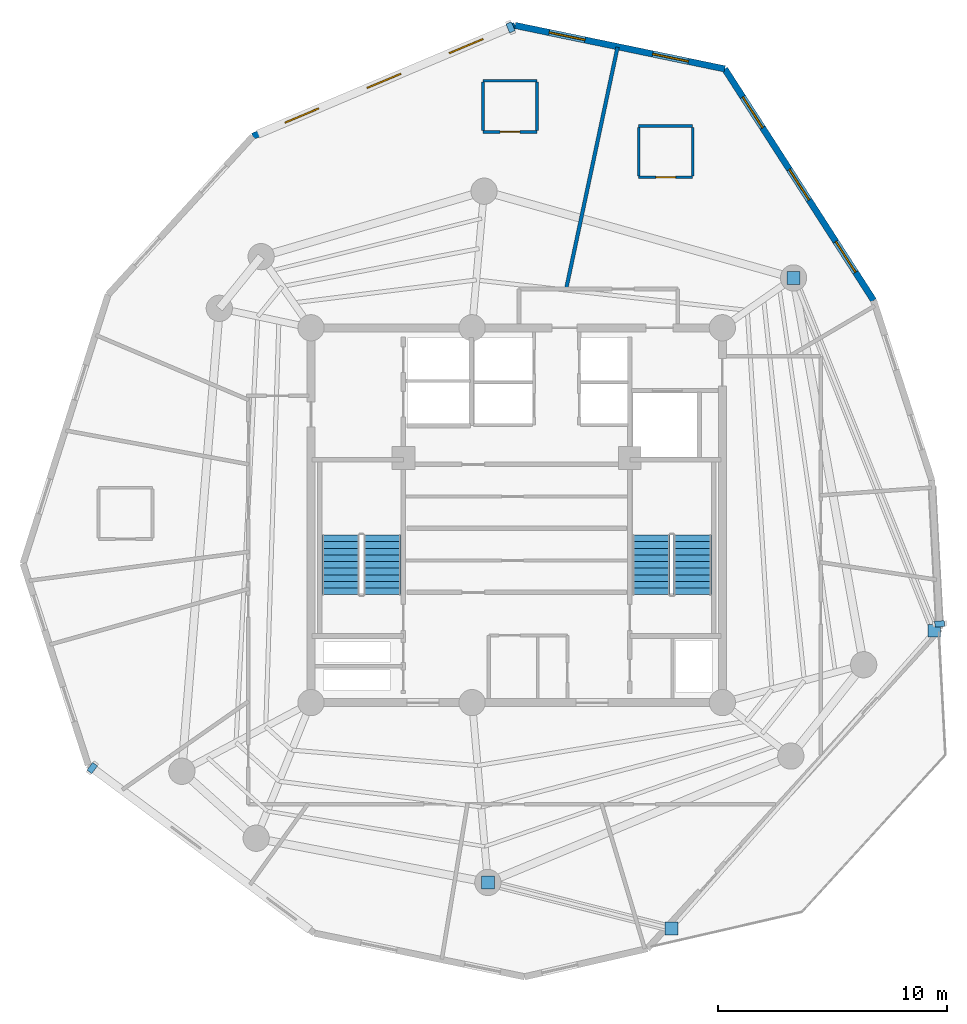
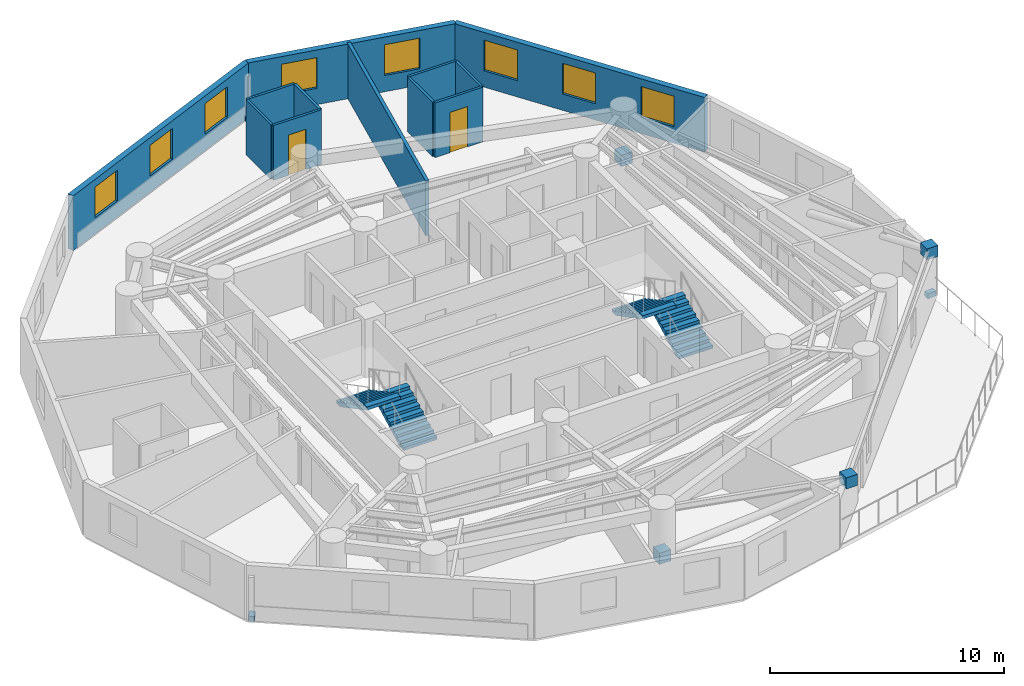
# One storey, part 6 of 9: 12 walls, 8 windows, 7 discrete accessories, 4 stair flights, 2 doors, 10 openings, 2 elements without a shape of their own.
"""IFC4 building model written with IfcOpenShell, lengths in metres."""

from ifc_helpers import new_model, si_unit, direction, frame, frame_2d, origin, origin_with_axes, origin_2d, place, context, subcontext, project, spatial, polyline, rectangle, outline, extrude, source, transform, mapped, material, layer, layer_set, type_object, element, fill, aggregate, save


model = new_model("IFC4")

# Units and contexts
model_context = context("Model", 3, precision=1e-05, world=origin(), true_north=direction((0.0, 1.0)))
body_context = subcontext(model_context, "Body", "Model", "MODEL_VIEW")
ifc_project = project(units=[si_unit("LENGTHUNIT", "METRE"), si_unit("AREAUNIT", "SQUARE_METRE"), si_unit("VOLUMEUNIT", "CUBIC_METRE"), si_unit("PLANEANGLEUNIT", "RADIAN"), si_unit("MASSUNIT", "GRAM", prefix="KILO")], contexts=[model_context])

# Site, building, storey
site_placement = place(None, origin())
site = spatial("IfcSite", under=ifc_project, at=site_placement, CompositionType="ELEMENT")
building_placement = place(site_placement, origin())
building = spatial("IfcBuilding", under=site, at=building_placement, Name="Karkom Vertical University and Central Library", CompositionType="ELEMENT")
storey_placement = place(building_placement, frame((0.0, 0.0, 232.14990234375)))
storey = spatial("IfcBuildingStorey", under=building, at=storey_placement, Name="L68", CompositionType="ELEMENT", Elevation=232.14990234375)

# Wall, openings, windows
ifc_material_1 = material(Name="Brick-faced precast concrete C45/55", Category="masonry")
ifc_layer_1 = layer(ifc_material_1, 0.280029296875)
ifc_layer_set_1 = layer_set([ifc_layer_1], Name="Brick-faced precast concrete C45/55")
wall_type_1 = type_object("IfcWallType", Name="ENV-WL-BRK-280", PredefinedType="SOLIDWALL", material=ifc_layer_set_1)
wall_1_placement = place(storey_placement, frame((44.118408203125, 35.897216796875, 0.0), z_axis=(0.0, 0.0, 1.0), x_axis=(-0.540866189817, 0.841108652145, 0.0)))
wall_1 = element("IfcWall", 1, at=wall_1_placement, inside=storey, type_object=wall_type_1, Name="Level 68 Brick-Faced Precast Facade Wall 07", PredefinedType="SOLIDWALL", context=body_context, shape_type="SweptSolid", body=[
    extrude(rectangle(XDim=12.04345703125, YDim=0.280029296875, at=frame_2d((6.021728515625, 0.0))), origin(), (0.0, 0.0, 1.0), 2.85009765625),
])
opening_1_placement = place(wall_1_placement, frame((1.460693359375, 0.0, 0.85009765625)))
opening_1 = element("IfcOpeningElement", 2, at=opening_1_placement, cuts=wall_1, Name="Opening WN-10", PredefinedType="OPENING", context=body_context, shape_type="SweptSolid", body=[
    extrude(rectangle(XDim=1.60009765625, YDim=1.60009765625, at=frame_2d((0.800048828125, 0.800048828125))), frame((0.0, 0.14990234375, 0.0), z_axis=(0.0, -1.0, 0.0), x_axis=(1.0, 0.0, 0.0)), (0.0, 0.0, 1.0), 0.300048828125),
])
opening_2_placement = place(wall_1_placement, frame((5.221923828125, 0.0, 0.85009765625)))
opening_2 = element("IfcOpeningElement", 3, at=opening_2_placement, cuts=wall_1, Name="Opening WN-10", PredefinedType="OPENING", context=body_context, shape_type="SweptSolid", body=[
    extrude(rectangle(XDim=1.60009765625, YDim=1.60009765625, at=frame_2d((0.800048828125, 0.800048828125))), frame((0.0, 0.14990234375, 0.0), z_axis=(0.0, -1.0, 0.0), x_axis=(1.0, 0.0, 0.0)), (0.0, 0.0, 1.0), 0.300048828125),
])
opening_3_placement = place(wall_1_placement, frame((8.983154296875, 0.0, 0.85009765625)))
opening_3 = element("IfcOpeningElement", 4, at=opening_3_placement, cuts=wall_1, Name="Opening WN-10", PredefinedType="OPENING", context=body_context, shape_type="SweptSolid", body=[
    extrude(rectangle(XDim=1.60009765625, YDim=1.60009765625, at=frame_2d((0.800048828125, 0.800048828125))), frame((0.0, 0.14990234375, 0.0), z_axis=(0.0, -1.0, 0.0), x_axis=(1.0, 0.0, 0.0)), (0.0, 0.0, 1.0), 0.300048828125),
])
ifc_material_2 = material(Name="Aluminium thermal-break frame with solar-control IGU", Category="aluminium")
window_type = type_object("IfcWindowType", Name="ENV-WIN-WN-10", PartitioningType="SINGLE_PANEL", PredefinedType="WINDOW", material=ifc_material_2)
shared_shape_1 = source(origin_with_axes(), body_context, "Body", "SweptSolid", [
    extrude(rectangle(XDim=1.60009765625, YDim=1.60009765625, at=frame_2d((0.800048828125, 0.800048828125))), frame((0.0, 0.030029296875, 0.0), z_axis=(0.0, -1.0, 0.0), x_axis=(1.0, 0.0, 0.0)), (0.0, 0.0, 1.0), 0.06005859375),
])
window_1_placement = place(opening_1_placement, origin())
window_1 = element("IfcWindow", 5, at=window_1_placement, inside=storey, type_object=window_type, Name="Level 68 Punched Window 7.1", OverallHeight=1.60009765625, OverallWidth=1.60009765625, PartitioningType="SINGLE_PANEL", PredefinedType="WINDOW", context=body_context, shape_type="MappedRepresentation", body=[
    mapped(shared_shape_1, transform((0.0, 0.0, 0.0), scale=1.0)),
])
fill(opening_1, window_1)
window_2_placement = place(opening_2_placement, origin())
window_2 = element("IfcWindow", 6, at=window_2_placement, inside=storey, type_object=window_type, Name="Level 68 Punched Window 7.2", OverallHeight=1.60009765625, OverallWidth=1.60009765625, PartitioningType="SINGLE_PANEL", PredefinedType="WINDOW", context=body_context, shape_type="MappedRepresentation", body=[
    mapped(shared_shape_1, transform((0.0, 0.0, 0.0), scale=1.0)),
])
fill(opening_2, window_2)
window_3_placement = place(opening_3_placement, origin())
window_3 = element("IfcWindow", 7, at=window_3_placement, inside=storey, type_object=window_type, Name="Level 68 Punched Window 7.3", OverallHeight=1.60009765625, OverallWidth=1.60009765625, PartitioningType="SINGLE_PANEL", PredefinedType="WINDOW", context=body_context, shape_type="MappedRepresentation", body=[
    mapped(shared_shape_1, transform((0.0, 0.0, 0.0), scale=1.0)),
])
fill(opening_3, window_3)

wall_2_placement = place(storey_placement, frame((37.6044921875, 46.027099609375, 0.0), z_axis=(0.0, 0.0, 1.0), x_axis=(-0.979153110394, 0.203123574224, 0.0)))
wall_2 = element("IfcWall", 8, at=wall_2_placement, inside=storey, type_object=wall_type_1, Name="Level 68 Brick-Faced Precast Facade Wall 08", PredefinedType="SOLIDWALL", context=body_context, shape_type="SweptSolid", body=[
    extrude(rectangle(XDim=9.36669921875, YDim=0.280029296875, at=frame_2d((4.683349609375, 0.0))), origin(), (0.0, 0.0, 1.0), 2.85009765625),
])
opening_4_placement = place(wall_2_placement, frame((1.623046875, 0.0, 0.85009765625)))
opening_4 = element("IfcOpeningElement", 9, at=opening_4_placement, cuts=wall_2, Name="Opening WN-10", PredefinedType="OPENING", context=body_context, shape_type="SweptSolid", body=[
    extrude(rectangle(XDim=1.60009765625, YDim=1.60009765625, at=frame_2d((0.800048828125, 0.800048828125))), frame((0.0, 0.14990234375, 0.0), z_axis=(0.0, -1.0, 0.0), x_axis=(1.0, 0.0, 0.0)), (0.0, 0.0, 1.0), 0.300048828125),
])
opening_5_placement = place(wall_2_placement, frame((6.24609375, 0.0, 0.85009765625)))
opening_5 = element("IfcOpeningElement", 10, at=opening_5_placement, cuts=wall_2, Name="Opening WN-10", PredefinedType="OPENING", context=body_context, shape_type="SweptSolid", body=[
    extrude(rectangle(XDim=1.60009765625, YDim=1.60009765625, at=frame_2d((0.800048828125, 0.800048828125))), frame((0.0, 0.14990234375, 0.0), z_axis=(0.0, -1.0, 0.0), x_axis=(1.0, 0.0, 0.0)), (0.0, 0.0, 1.0), 0.300048828125),
])
window_4_placement = place(opening_4_placement, origin())
window_4 = element("IfcWindow", 11, at=window_4_placement, inside=storey, type_object=window_type, Name="Level 68 Punched Window 8.1", OverallHeight=1.60009765625, OverallWidth=1.60009765625, PartitioningType="SINGLE_PANEL", PredefinedType="WINDOW", context=body_context, shape_type="MappedRepresentation", body=[
    mapped(shared_shape_1, transform((0.0, 0.0, 0.0), scale=1.0)),
])
fill(opening_4, window_4)
window_5_placement = place(opening_5_placement, origin())
window_5 = element("IfcWindow", 12, at=window_5_placement, inside=storey, type_object=window_type, Name="Level 68 Punched Window 8.2", OverallHeight=1.60009765625, OverallWidth=1.60009765625, PartitioningType="SINGLE_PANEL", PredefinedType="WINDOW", context=body_context, shape_type="MappedRepresentation", body=[
    mapped(shared_shape_1, transform((0.0, 0.0, 0.0), scale=1.0)),
])
fill(opening_5, window_5)

wall_3_placement = place(storey_placement, frame((28.43310546875, 47.9296875, 0.0), z_axis=(0.0, 0.0, 1.0), x_axis=(-0.921125636365, -0.389265413351, 0.0)))
wall_3 = element("IfcWall", 13, at=wall_3_placement, inside=storey, type_object=wall_type_1, Name="Level 68 Brick-Faced Precast Facade Wall 09", PredefinedType="SOLIDWALL", context=body_context, shape_type="SweptSolid", body=[
    extrude(rectangle(XDim=12.4609375, YDim=0.280029296875, at=frame_2d((6.23046875, 0.0))), origin(), (0.0, 0.0, 1.0), 2.85009765625),
])
opening_6_placement = place(wall_3_placement, frame((1.5302734375, 0.0, 0.85009765625)))
opening_6 = element("IfcOpeningElement", 14, at=opening_6_placement, cuts=wall_3, Name="Opening WN-10", PredefinedType="OPENING", context=body_context, shape_type="SweptSolid", body=[
    extrude(rectangle(XDim=1.60009765625, YDim=1.60009765625, at=frame_2d((0.800048828125, 0.800048828125))), frame((0.0, 0.14990234375, 0.0), z_axis=(0.0, -1.0, 0.0), x_axis=(1.0, 0.0, 0.0)), (0.0, 0.0, 1.0), 0.300048828125),
])
opening_7_placement = place(wall_3_placement, frame((5.430419921875, 0.0, 0.85009765625)))
opening_7 = element("IfcOpeningElement", 15, at=opening_7_placement, cuts=wall_3, Name="Opening WN-10", PredefinedType="OPENING", context=body_context, shape_type="SweptSolid", body=[
    extrude(rectangle(XDim=1.60009765625, YDim=1.60009765625, at=frame_2d((0.800048828125, 0.800048828125))), frame((0.0, 0.14990234375, 0.0), z_axis=(0.0, -1.0, 0.0), x_axis=(1.0, 0.0, 0.0)), (0.0, 0.0, 1.0), 0.300048828125),
])
opening_8_placement = place(wall_3_placement, frame((9.330810546875, 0.0, 0.85009765625)))
opening_8 = element("IfcOpeningElement", 16, at=opening_8_placement, cuts=wall_3, Name="Opening WN-10", PredefinedType="OPENING", context=body_context, shape_type="SweptSolid", body=[
    extrude(rectangle(XDim=1.60009765625, YDim=1.60009765625, at=frame_2d((0.800048828125, 0.800048828125))), frame((0.0, 0.14990234375, 0.0), z_axis=(0.0, -1.0, 0.0), x_axis=(1.0, 0.0, 0.0)), (0.0, 0.0, 1.0), 0.300048828125),
])
window_6_placement = place(opening_6_placement, origin())
window_6 = element("IfcWindow", 17, at=window_6_placement, inside=storey, type_object=window_type, Name="Level 68 Punched Window 9.1", OverallHeight=1.60009765625, OverallWidth=1.60009765625, PartitioningType="SINGLE_PANEL", PredefinedType="WINDOW", context=body_context, shape_type="MappedRepresentation", body=[
    mapped(shared_shape_1, transform((0.0, 0.0, 0.0), scale=1.0)),
])
fill(opening_6, window_6)
window_7_placement = place(opening_7_placement, origin())
window_7 = element("IfcWindow", 18, at=window_7_placement, inside=storey, type_object=window_type, Name="Level 68 Punched Window 9.2", OverallHeight=1.60009765625, OverallWidth=1.60009765625, PartitioningType="SINGLE_PANEL", PredefinedType="WINDOW", context=body_context, shape_type="MappedRepresentation", body=[
    mapped(shared_shape_1, transform((0.0, 0.0, 0.0), scale=1.0)),
])
fill(opening_7, window_7)
window_8_placement = place(opening_8_placement, origin())
window_8 = element("IfcWindow", 19, at=window_8_placement, inside=storey, type_object=window_type, Name="Level 68 Punched Window 9.3", OverallHeight=1.60009765625, OverallWidth=1.60009765625, PartitioningType="SINGLE_PANEL", PredefinedType="WINDOW", context=body_context, shape_type="MappedRepresentation", body=[
    mapped(shared_shape_1, transform((0.0, 0.0, 0.0), scale=1.0)),
])
fill(opening_8, window_8)

# Wall
ifc_material_3 = material(Name="Insulated metal-stud drywall 160mm", Category="gypsum")
ifc_layer_2 = layer(ifc_material_3, 0.159912109375)
ifc_layer_set_2 = layer_set([ifc_layer_2], Name="Insulated metal-stud drywall 160mm")
wall_type_2 = type_object("IfcWallType", Name="INT-WL-COR-160", PredefinedType="PARTITIONING", material=ifc_layer_set_2)
wall_4_placement = place(storey_placement, frame((30.659423828125, 36.37060546875, 0.0), z_axis=(0.0, 0.0, 1.0), x_axis=(0.207907775763, 0.978148432896, 0.0)))
element("IfcWall", 20, at=wall_4_placement, inside=storey, type_object=wall_type_2, Name="Level 68 Interior Partition Wall L68-PW-011", PredefinedType="PARTITIONING", context=body_context, shape_type="SweptSolid", body=[
    extrude(rectangle(XDim=10.8408203125, YDim=0.159912109375, at=frame_2d((5.42041015625, 0.0))), origin(), (0.0, 0.0, 1.0), 2.85009765625),
])

# Wall, opening, door
ifc_material_4 = material(Name="Moisture-resistant drywall 120mm", Category="gypsum")
ifc_layer_3 = layer(ifc_material_4, 0.1201171875)
ifc_layer_set_3 = layer_set([ifc_layer_3], Name="Moisture-resistant drywall 120mm")
wall_type_3 = type_object("IfcWallType", Name="INT-WL-INT-120F", PredefinedType="PARTITIONING", material=ifc_layer_set_3)
wall_5_placement = place(storey_placement, frame((27.028076171875, 43.27197265625, 0.0), z_axis=(0.0, 0.0, 1.0), x_axis=(1.0, 0.0, 0.0)))
wall_5 = element("IfcWall", 21, at=wall_5_placement, inside=storey, type_object=wall_type_3, Name="Level 68 Interior Partition Wall L68-ENS-50-S", PredefinedType="PARTITIONING", context=body_context, shape_type="SweptSolid", body=[
    extrude(rectangle(XDim=2.35986328125, YDim=0.1201171875, at=frame_2d((1.179931640625, 0.0))), origin(), (0.0, 0.0, 1.0), 2.85009765625),
])
opening_9_placement = place(wall_5_placement, frame((0.75, 0.0, 0.0)))
opening_9 = element("IfcOpeningElement", 22, at=opening_9_placement, cuts=wall_5, Name="Opening D-BATH", PredefinedType="OPENING", context=body_context, shape_type="SweptSolid", body=[
    extrude(rectangle(XDim=0.860107421875, YDim=2.10009765625, at=frame_2d((0.43017578125, 1.050048828125))), frame((0.0, 0.070068359375, 0.0), z_axis=(0.0, -1.0, 0.0), x_axis=(1.0, 0.0, 0.0)), (0.0, 0.0, 1.0), 0.14013671875),
])
ifc_material_5 = material(Name="Moisture-resistant oak door", Category="wood")
door_type = type_object("IfcDoorType", Name="INT-DR-BATH", OperationType="NOTDEFINED", PredefinedType="DOOR", material=ifc_material_5)
shared_shape_2 = source(origin_with_axes(), body_context, "Body", "SweptSolid", [
    extrude(rectangle(XDim=0.860107421875, YDim=2.10009765625, at=frame_2d((0.43017578125, 1.050048828125))), frame((0.0, 0.02490234375, 0.0), z_axis=(0.0, -1.0, 0.0), x_axis=(1.0, 0.0, 0.0)), (0.0, 0.0, 1.0), 0.050048828125),
])
door_1_placement = place(opening_9_placement, origin())
door_1 = element("IfcDoor", 23, at=door_1_placement, inside=storey, type_object=door_type, Name="Level 68 En-Suite Bathroom Door 50", OperationType="SINGLE_SWING_RIGHT", OverallHeight=2.10009765625, OverallWidth=0.860107421875, PredefinedType="DOOR", context=body_context, shape_type="MappedRepresentation", body=[
    mapped(shared_shape_2, transform((0.0, 0.0, 0.0), scale=1.0)),
])
fill(opening_9, door_1)

# Wall
wall_6_placement = place(storey_placement, frame((29.387939453125, 45.511962890625, 0.0), z_axis=(0.0, 0.0, 1.0), x_axis=(-1.0, 0.0, 0.0)))
element("IfcWall", 24, at=wall_6_placement, inside=storey, type_object=wall_type_3, Name="Level 68 Interior Partition Wall L68-ENS-50-N", PredefinedType="PARTITIONING", context=body_context, shape_type="SweptSolid", body=[
    extrude(rectangle(XDim=2.35986328125, YDim=0.1201171875, at=frame_2d((1.179931640625, 0.0))), origin(), (0.0, 0.0, 1.0), 2.85009765625),
])

# Wall, opening, door
wall_7_placement = place(storey_placement, frame((33.840087890625, 41.283935546875, 0.0), z_axis=(0.0, 0.0, 1.0), x_axis=(1.0, 0.0, 0.0)))
wall_7 = element("IfcWall", 25, at=wall_7_placement, inside=storey, type_object=wall_type_3, Name="Level 68 Interior Partition Wall L68-ENS-49-S", PredefinedType="PARTITIONING", context=body_context, shape_type="SweptSolid", body=[
    extrude(rectangle(XDim=2.35986328125, YDim=0.1201171875, at=frame_2d((1.179931640625, 0.0))), origin(), (0.0, 0.0, 1.0), 2.85009765625),
])
opening_10_placement = place(wall_7_placement, frame((0.75, 0.0, 0.0)))
opening_10 = element("IfcOpeningElement", 26, at=opening_10_placement, cuts=wall_7, Name="Opening D-BATH", PredefinedType="OPENING", context=body_context, shape_type="SweptSolid", body=[
    extrude(rectangle(XDim=0.860107421875, YDim=2.10009765625, at=frame_2d((0.43017578125, 1.050048828125))), frame((0.0, 0.070068359375, 0.0), z_axis=(0.0, -1.0, 0.0), x_axis=(1.0, 0.0, 0.0)), (0.0, 0.0, 1.0), 0.14013671875),
])
door_2_placement = place(opening_10_placement, origin())
door_2 = element("IfcDoor", 27, at=door_2_placement, inside=storey, type_object=door_type, Name="Level 68 En-Suite Bathroom Door 49", OperationType="SINGLE_SWING_RIGHT", OverallHeight=2.10009765625, OverallWidth=0.860107421875, PredefinedType="DOOR", context=body_context, shape_type="MappedRepresentation", body=[
    mapped(shared_shape_2, transform((0.0, 0.0, 0.0), scale=1.0)),
])
fill(opening_10, door_2)

# Walls
wall_8_placement = place(storey_placement, frame((36.199951171875, 43.52392578125, 0.0), z_axis=(0.0, 0.0, 1.0), x_axis=(-1.0, 0.0, 0.0)))
element("IfcWall", 28, at=wall_8_placement, inside=storey, type_object=wall_type_3, Name="Level 68 Interior Partition Wall L68-ENS-49-N", PredefinedType="PARTITIONING", context=body_context, shape_type="SweptSolid", body=[
    extrude(rectangle(XDim=2.35986328125, YDim=0.1201171875, at=frame_2d((1.179931640625, 0.0))), origin(), (0.0, 0.0, 1.0), 2.85009765625),
])
for number, where, z_axis, x_axis, name in (
    (29, (29.387939453125, 43.322021484375, 0.0), (0.0, 0.0, 1.0), (0.0, 1.0, 0.0), "Level 68 Interior Partition Wall L68-ENS-50-E"),
    (30, (27.028076171875, 45.4619140625, 0.0), (0.0, 0.0, 1.0), (0.0, -1.0, 0.0), "Level 68 Interior Partition Wall L68-ENS-50-W"),
):
    element("IfcWall", number, at=place(storey_placement, frame(where, z_axis=z_axis, x_axis=x_axis)), inside=storey, type_object=wall_type_3, Name=name, PredefinedType="PARTITIONING", context=body_context, shape_type="SweptSolid", body=[
        extrude(rectangle(XDim=2.139892578125, YDim=0.1201171875, at=frame_2d((1.06982421875, 0.0))), origin(), (0.0, 0.0, 1.0), 2.85009765625),
    ])
for number, where, z_axis, x_axis, name in (
    (31, (36.199951171875, 41.333984375, 0.0), (0.0, 0.0, 1.0), (0.0, 1.0, 0.0), "Level 68 Interior Partition Wall L68-ENS-49-E"),
    (32, (33.840087890625, 43.47412109375, 0.0), (0.0, 0.0, 1.0), (0.0, -1.0, 0.0), "Level 68 Interior Partition Wall L68-ENS-49-W"),
):
    element("IfcWall", number, at=place(storey_placement, frame(where, z_axis=z_axis, x_axis=x_axis)), inside=storey, type_object=wall_type_3, Name=name, PredefinedType="PARTITIONING", context=body_context, shape_type="SweptSolid", body=[
        extrude(rectangle(XDim=2.14013671875, YDim=0.1201171875, at=frame_2d((1.070068359375, 0.0))), origin(), (0.0, 0.0, 1.0), 2.85009765625),
    ])

# Stair, stair flights
ifc_material_6 = material(Name="Concrete C45/55", Category="concrete")
stair_type = type_object("IfcStairType", Name="INT-STR-ST-MAIN", PredefinedType="HALF_TURN_STAIR", material=ifc_material_6)
stair_1_placement = place(storey_placement, origin())
stair_1 = element("IfcStair", 33, at=stair_1_placement, inside=storey, type_object=stair_type, Name="Level 68 Tower Protected Exit Stair ST-1", PredefinedType="HALF_TURN_STAIR")
stair_flight_type = type_object("IfcStairFlightType", Name="INT-SFL-ST-MAIN", PredefinedType="STRAIGHT", material=ifc_material_6)
stair_flight_1_placement = place(storey_placement, frame((22.614990234375, 23.02001953125, 0.0), z_axis=(0.0, 0.0, 1.0), x_axis=(0.0, 1.0, 0.0)))
stair_flight_1 = element("IfcStairFlight", 34, at=stair_flight_1_placement, type_object=stair_flight_type, Name="ST-1 flight 1", NumberOfRisers=10, NumberOfTreads=9, PredefinedType="STRAIGHT", RiserHeight=0.1525, TreadLength=0.29, context=body_context, shape_type="SweptSolid", body=[
    extrude(outline(polyline([(0.0, 0.0), (0.0, 0.152587890625), (0.2900390625, 0.152587890625), (0.2900390625, 0.304931640625), (0.580078125, 0.304931640625), (0.580078125, 0.45751953125), (0.8701171875, 0.45751953125), (0.8701171875, 0.610107421875), (1.159912109375, 0.610107421875), (1.159912109375, 0.762451171875), (1.449951171875, 0.762451171875), (1.449951171875, 0.9150390625), (1.739990234375, 0.9150390625), (1.739990234375, 1.0673828125), (2.030029296875, 1.0673828125), (2.030029296875, 1.219970703125), (2.320068359375, 1.219970703125), (2.320068359375, 1.37255859375), (2.610107421875, 1.37255859375), (2.610107421875, 1.52490234375), (2.610107421875, 1.203125), (0.322021484375, 0.0), (0.0, 0.0)])), frame((0.0, 0.824951171875, 0.0), z_axis=(0.0, -1.0, 0.0), x_axis=(1.0, 0.0, 0.0)), (0.0, 0.0, 1.0), 1.64990234375),
])
stair_flight_2_placement = place(storey_placement, frame((20.804931640625, 25.6298828125, 1.525146484375), z_axis=(0.0, 0.0, 1.0), x_axis=(0.0, -1.0, 0.0)))
stair_flight_2 = element("IfcStairFlight", 35, at=stair_flight_2_placement, type_object=stair_flight_type, Name="ST-1 flight 2", NumberOfRisers=10, NumberOfTreads=9, PredefinedType="STRAIGHT", RiserHeight=0.1525, TreadLength=0.29, context=body_context, shape_type="SweptSolid", body=[
    extrude(outline(polyline([(0.0, 0.0), (0.0, 0.152587890625), (0.2900390625, 0.152587890625), (0.2900390625, 0.304931640625), (0.580078125, 0.304931640625), (0.580078125, 0.45751953125), (0.8701171875, 0.45751953125), (0.8701171875, 0.610107421875), (1.159912109375, 0.610107421875), (1.159912109375, 0.762451171875), (1.449951171875, 0.762451171875), (1.449951171875, 0.9150390625), (1.739990234375, 0.9150390625), (1.739990234375, 1.0673828125), (2.030029296875, 1.0673828125), (2.030029296875, 1.219970703125), (2.320068359375, 1.219970703125), (2.320068359375, 1.37255859375), (2.610107421875, 1.37255859375), (2.610107421875, 1.52490234375), (2.610107421875, 1.203125), (0.322021484375, 0.0), (0.0, 0.0)])), frame((0.0, 0.824951171875, 0.0), z_axis=(0.0, -1.0, 0.0), x_axis=(1.0, 0.0, 0.0)), (0.0, 0.0, 1.0), 1.64990234375),
])
aggregate(stair_1, [stair_flight_1, stair_flight_2])

stair_2_placement = place(storey_placement, origin())
stair_2 = element("IfcStair", 36, at=stair_2_placement, inside=storey, type_object=stair_type, Name="Level 68 Tower Protected Exit Stair ST-2", PredefinedType="HALF_TURN_STAIR")
stair_flight_3_placement = place(storey_placement, frame((36.195068359375, 23.02001953125, 0.0), z_axis=(0.0, 0.0, 1.0), x_axis=(0.0, 1.0, 0.0)))
stair_flight_3 = element("IfcStairFlight", 37, at=stair_flight_3_placement, type_object=stair_flight_type, Name="ST-2 flight 1", NumberOfRisers=10, NumberOfTreads=9, PredefinedType="STRAIGHT", RiserHeight=0.1525, TreadLength=0.29, context=body_context, shape_type="SweptSolid", body=[
    extrude(outline(polyline([(0.0, 0.0), (0.0, 0.152587890625), (0.2900390625, 0.152587890625), (0.2900390625, 0.304931640625), (0.580078125, 0.304931640625), (0.580078125, 0.45751953125), (0.8701171875, 0.45751953125), (0.8701171875, 0.610107421875), (1.159912109375, 0.610107421875), (1.159912109375, 0.762451171875), (1.449951171875, 0.762451171875), (1.449951171875, 0.9150390625), (1.739990234375, 0.9150390625), (1.739990234375, 1.0673828125), (2.030029296875, 1.0673828125), (2.030029296875, 1.219970703125), (2.320068359375, 1.219970703125), (2.320068359375, 1.37255859375), (2.610107421875, 1.37255859375), (2.610107421875, 1.52490234375), (2.610107421875, 1.203125), (0.322021484375, 0.0), (0.0, 0.0)])), frame((0.0, 0.824951171875, 0.0), z_axis=(0.0, -1.0, 0.0), x_axis=(1.0, 0.0, 0.0)), (0.0, 0.0, 1.0), 1.64990234375),
])
stair_flight_4_placement = place(storey_placement, frame((34.385009765625, 25.6298828125, 1.525146484375), z_axis=(0.0, 0.0, 1.0), x_axis=(0.0, -1.0, 0.0)))
stair_flight_4 = element("IfcStairFlight", 38, at=stair_flight_4_placement, type_object=stair_flight_type, Name="ST-2 flight 2", NumberOfRisers=10, NumberOfTreads=9, PredefinedType="STRAIGHT", RiserHeight=0.1525, TreadLength=0.29, context=body_context, shape_type="SweptSolid", body=[
    extrude(outline(polyline([(0.0, 0.0), (0.0, 0.152587890625), (0.2900390625, 0.152587890625), (0.2900390625, 0.304931640625), (0.580078125, 0.304931640625), (0.580078125, 0.45751953125), (0.8701171875, 0.45751953125), (0.8701171875, 0.610107421875), (1.159912109375, 0.610107421875), (1.159912109375, 0.762451171875), (1.449951171875, 0.762451171875), (1.449951171875, 0.9150390625), (1.739990234375, 0.9150390625), (1.739990234375, 1.0673828125), (2.030029296875, 1.0673828125), (2.030029296875, 1.219970703125), (2.320068359375, 1.219970703125), (2.320068359375, 1.37255859375), (2.610107421875, 1.37255859375), (2.610107421875, 1.52490234375), (2.610107421875, 1.203125), (0.322021484375, 0.0), (0.0, 0.0)])), frame((0.0, 0.824951171875, 0.0), z_axis=(0.0, -1.0, 0.0), x_axis=(1.0, 0.0, 0.0)), (0.0, 0.0, 1.0), 1.64990234375),
])
aggregate(stair_2, [stair_flight_3, stair_flight_4])

# Discrete accessories
ifc_material_7 = material(Name="Ductile cast iron EN-GJS-400-15", Category="metal")
discrete_accessory_type_1 = type_object("IfcDiscreteAccessoryType", Name="STR-ACC-NODECAP", PredefinedType="BRACKET", material=ifc_material_7)
shared_shape_3 = source(origin_with_axes(), body_context, "Body", "SweptSolid", [
    extrude(rectangle(XDim=0.56005859375, YDim=0.56005859375, at=origin_2d()), origin(), (0.0, 0.0, 1.0), 0.580078125),
])
for number, where, z_axis, x_axis, name in (
    (39, (27.239013671875, 10.429931640625, 0.06005859375), (0.0, 0.0, 1.0), (1.0, 0.0, 0.0), "Level 68 Cast Node Connector L68-SKG-KNEE-1 A"),
    (40, (35.276611328125, 8.410400390625, 2.39501953125), (0.0, 0.0, 1.0), (1.0, 0.0, 0.0), "Level 68 Cast Node Connector L68-SKG-KNEE-1 B"),
    (41, (40.613037109375, 36.8798828125, 0.06005859375), (0.0, 0.0, 1.0), (1.0, 0.0, 0.0), "Level 68 Cast Node Connector L68-SKG-KNEE-2 A"),
    (42, (46.7734375, 21.444091796875, 2.39501953125), (0.0, 0.0, 1.0), (1.0, 0.0, 0.0), "Level 68 Cast Node Connector L68-SKG-KNEE-2 B"),
):
    element("IfcDiscreteAccessory", number, at=place(storey_placement, frame(where, z_axis=z_axis, x_axis=x_axis)), inside=storey, type_object=discrete_accessory_type_1, Name=name, PredefinedType="BRACKET", context=body_context, shape_type="MappedRepresentation", body=[
        mapped(shared_shape_3, transform((0.0, 0.0, 0.0), scale=1.0)),
    ])
ifc_material_8 = material(Name="Austenitic stainless steel 316", Category="steel")
discrete_accessory_type_2 = type_object("IfcDiscreteAccessoryType", Name="INT-ACC-BRACKET", PredefinedType="BRACKET", material=ifc_material_8)
shared_shape_4 = source(origin_with_axes(), body_context, "Body", "SweptSolid", [
    extrude(rectangle(XDim=0.260009765625, YDim=0.419921875, at=origin_2d()), origin(), (0.0, 0.0, 1.0), 0.260009765625),
])
for number, where, z_axis, x_axis, name in (
    (43, (9.92919921875, 15.43798828125, 0.0), (0.0, 0.0, 1.0), (0.802609304542, -0.596505074801, 0.0), "Level 68 Sun-Breaker Stainless Corbel Bracket 31"),
    (44, (47.00341796875, 21.7470703125, 0.0), (0.0, 0.0, 1.0), (-0.054078812985, 0.998536670326, 0.0), "Level 68 Sun-Breaker Stainless Corbel Bracket 32"),
    (45, (28.230712890625, 47.843994140625, 0.0), (0.0, 0.0, 1.0), (-0.921117476594, -0.389284721396, 0.0), "Level 68 Sun-Breaker Stainless Corbel Bracket 33"),
):
    element("IfcDiscreteAccessory", number, at=place(storey_placement, frame(where, z_axis=z_axis, x_axis=x_axis)), inside=storey, type_object=discrete_accessory_type_2, Name=name, PredefinedType="BRACKET", context=body_context, shape_type="MappedRepresentation", body=[
        mapped(shared_shape_4, transform((0.0, 0.0, 0.0), scale=1.0)),
    ])

save(model, "model.ifc")
